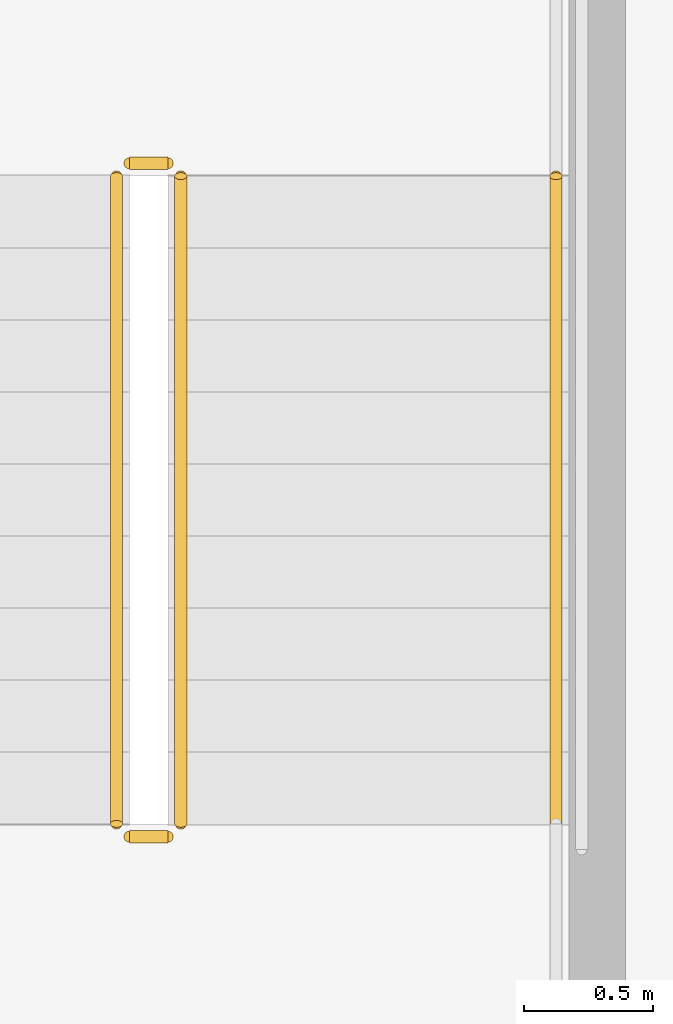
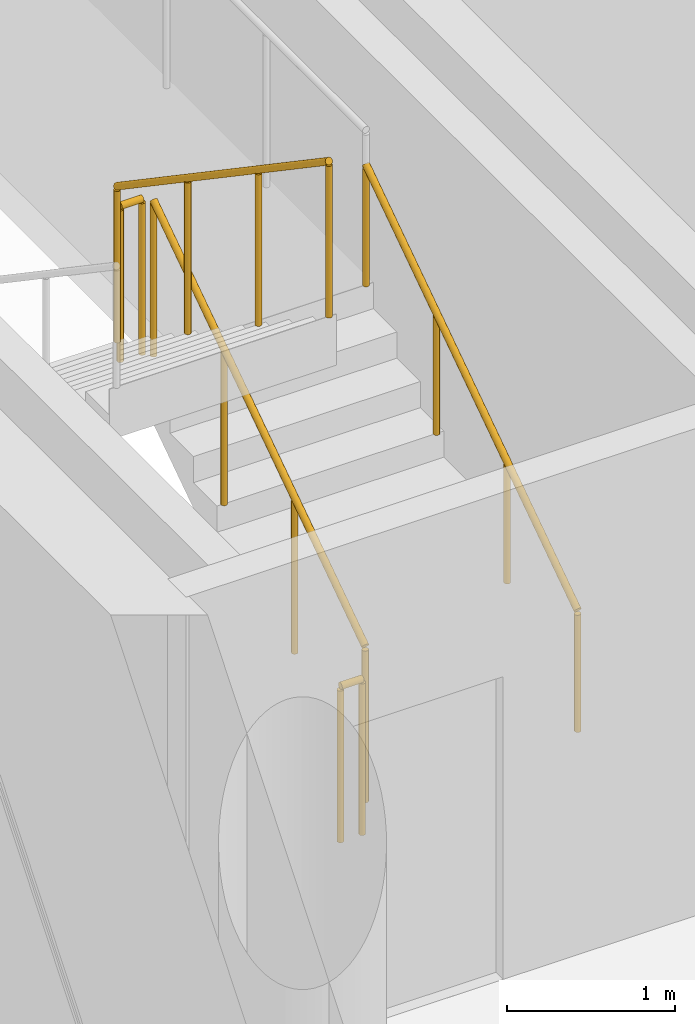
# One storey, part 15 of 17: 5 railings.
"""IFC4 building model written with IfcOpenShell, lengths in metres."""

import ifcopenshell
import ifcopenshell.guid

model = None  # the IFC model being written
_history = None  # IfcOwnerHistory: only IFC2X3 demands one
_inside = {}  # id of a spatial element -> (the spatial element, [elements in it])
_under = {}  # id of a project, library or spatial element -> (it, [spatial elements below it])
_declared = {}  # id of a project -> (the project, [libraries it declares])
_typed = {}  # id of a type object -> (the type object, [elements of that type])
_made_of = {}  # id of a material, layer set ... -> (it, [elements and type objects made of it])


def new_model(schema):
    """Start an empty IFC model of exactly this schema.

    Asked for "IFC4X3", IfcOpenShell would pick the latest addendum, in which some entities
    have other attributes; the version numbers below select the first issue.
    IFC2X3 requires an IfcOwnerHistory on every rooted entity: one is made here for all.
    """
    global model, _history
    if schema == "IFC4X3":
        model = ifcopenshell.file(schema_version=(4, 3, 0, 0))
    else:
        model = ifcopenshell.file(schema=schema)
    _inside.clear()
    _under.clear()
    _declared.clear()
    _typed.clear()
    _made_of.clear()
    _history = None
    if model.schema == "IFC2X3":
        org = make("IfcOrganization", Name="unknown")
        user = make(
            "IfcPersonAndOrganization",
            ThePerson=make("IfcPerson", FamilyName="unknown"),
            TheOrganization=org,
        )
        app = make(
            "IfcApplication",
            ApplicationDeveloper=org,
            Version="unknown",
            ApplicationFullName="unknown",
            ApplicationIdentifier="unknown",
        )
        _history = make(
            "IfcOwnerHistory",
            OwningUser=user,
            OwningApplication=app,
            ChangeAction="ADDED",
            CreationDate=0,
        )
    return model


def make(cls, **values):
    """One entity of the class cls with the attributes given. An attribute that is None is left unset."""
    return model.create_entity(
        cls, **{name: value for name, value in values.items() if value is not None}
    )


def rooted(cls, **values):
    """An entity with a GlobalId (a new one), such as an element, a storey or a relation."""
    return make(cls, GlobalId=ifcopenshell.guid.new(), OwnerHistory=_history, **values)


def si_unit(unit_type, name, prefix=None):
    """IfcSIUnit, for example si_unit("LENGTHUNIT", "METRE", prefix="MILLI")."""
    return make("IfcSIUnit", UnitType=unit_type, Prefix=prefix, Name=name)


def assignment(units):
    """IfcUnitAssignment: the units of a project."""
    return None if units is None else make("IfcUnitAssignment", Units=units)


def point(xyz):
    """IfcCartesianPoint."""
    return None if xyz is None else make("IfcCartesianPoint", Coordinates=xyz)


def direction(xyz):
    """IfcDirection."""
    return None if xyz is None else make("IfcDirection", DirectionRatios=xyz)


def frame(location, z_axis=None, x_axis=None):
    """IfcAxis2Placement3D, a coordinate frame: its origin and axes. An axis left out is left unset."""
    return make(
        "IfcAxis2Placement3D",
        Location=point(location),
        Axis=direction(z_axis),
        RefDirection=direction(x_axis),
    )


def frame_2d(location, x_axis=None):
    """IfcAxis2Placement2D, a coordinate frame in the plane: its origin and x axis."""
    return make(
        "IfcAxis2Placement2D", Location=point(location), RefDirection=direction(x_axis)
    )


def origin():
    """The frame at (0, 0, 0) with its axes left unset."""
    return frame((0.0, 0.0, 0.0))


def origin_2d():
    """The frame at (0, 0) in the plane with its x axis left unset."""
    return frame_2d((0.0, 0.0))


def place(relative_to, where):
    """IfcLocalPlacement: puts the frame where relative to a parent placement (None: the world)."""
    return make(
        "IfcLocalPlacement", PlacementRelTo=relative_to, RelativePlacement=where
    )


def context(
    kind, dimensions, precision=None, world=None, true_north=None, identifier=None
):
    """IfcGeometricRepresentationContext, for example the 3D "Model" context."""
    return make(
        "IfcGeometricRepresentationContext",
        ContextIdentifier=identifier,
        ContextType=kind,
        CoordinateSpaceDimension=dimensions,
        Precision=precision,
        WorldCoordinateSystem=world,
        TrueNorth=true_north,
    )


def subcontext(parent, identifier, kind, view, scale=None):
    """IfcGeometricRepresentationSubContext, for example "Body" below "Model"."""
    return make(
        "IfcGeometricRepresentationSubContext",
        ContextIdentifier=identifier,
        ContextType=kind,
        ParentContext=parent,
        TargetScale=scale,
        TargetView=view,
    )


def project(units=None, contexts=None):
    """IfcProject with its units and contexts."""
    return rooted(
        "IfcProject",
        Name="project",
        RepresentationContexts=contexts,
        UnitsInContext=assignment(units),
    )


def spatial(cls, under=None, at=None, **own):
    """A site, building, storey or space (cls), placed at a placement, below another one or the project."""
    s = rooted(cls, ObjectPlacement=at, **own)
    if under is not None:
        _under.setdefault(under.id(), (under, []))[1].append(s)
    return s


def profile(cls, at=None, kind="AREA", **sizes):
    """A parametric profile (cls). Its sizes go by their IFC names, for example OverallWidth=200.0."""
    return make(cls, ProfileType=kind, Position=at, **sizes)


def circle(**sizes):
    """IfcCircleProfileDef."""
    return profile("IfcCircleProfileDef", **sizes)


def extrude(swept, where, along, depth):
    """IfcExtrudedAreaSolid: the profile swept, set in the frame where, extruded along a direction by depth."""
    return make(
        "IfcExtrudedAreaSolid",
        SweptArea=swept,
        Position=where,
        ExtrudedDirection=direction(along),
        Depth=depth,
    )


def shape(context_of_items, identifier, shape_type, items):
    """IfcShapeRepresentation: the items that make up one representation, for example the "Body"."""
    return make(
        "IfcShapeRepresentation",
        ContextOfItems=context_of_items,
        RepresentationIdentifier=identifier,
        RepresentationType=shape_type,
        Items=items,
    )


def material(Name=None, Category=None):
    """IfcMaterial."""
    return make("IfcMaterial", Name=Name, Category=Category)


def made_of(thing, what):
    """Note that an element or type object is made of a material, layer set ...; save() writes the relation."""
    if what is not None:
        _made_of.setdefault(what.id(), (what, []))[1].append(thing)
    return thing


def type_object(cls, material=None, **own):
    """A type object (cls), such as IfcWallType, which elements share."""
    return made_of(rooted(cls, **own), material)


def element(
    cls,
    number,
    at=None,
    inside=None,
    cuts=None,
    type_object=None,
    material=None,
    context=None,
    identifier="Body",
    shape_type=None,
    held_by="IfcProductDefinitionShape",
    body=None,
    shapes=None,
    **own,
):
    """One element of the class cls, such as IfcWall. Its Tag is "e" and its number.

    at: its placement. inside: the storey or other place that contains it. cuts: it is an
    opening in that element (IfcRelVoidsElement). A single representation is given by context,
    identifier, shape_type and body (its items); several are given by shapes. held_by: the class
    of the entity that holds the representations. save() writes the other relations.
    """
    e = rooted(cls, Tag="e%d" % number, ObjectPlacement=at, **own)
    if body is not None:
        shapes = [shape(context, identifier, shape_type, body)]
    if shapes is not None:
        e.Representation = make(held_by, Representations=shapes)
    if inside is not None:
        _inside.setdefault(inside.id(), (inside, []))[1].append(e)
    if cuts is not None:
        rooted(
            "IfcRelVoidsElement", RelatingBuildingElement=cuts, RelatedOpeningElement=e
        )
    if type_object is not None:
        _typed.setdefault(type_object.id(), (type_object, []))[1].append(e)
    return made_of(e, material)


def aggregate(whole, parts):
    """IfcRelAggregates: a whole, such as a stair, and the parts it consists of."""
    return rooted("IfcRelAggregates", RelatingObject=whole, RelatedObjects=parts)


def save(model, path):
    """Write the relations noted so far, then the file.

    IfcRelAggregates (storeys below a building ...), IfcRelContainedInSpatialStructure (elements
    in a storey), IfcRelDefinesByType, IfcRelAssociatesMaterial and IfcRelDeclares: one each for
    every whole, place, type object, material and project.
    """
    for whole, parts in _under.values():
        aggregate(whole, parts)
    for where, things in _inside.values():
        rooted(
            "IfcRelContainedInSpatialStructure",
            RelatedElements=things,
            RelatingStructure=where,
        )
    for kind, things in _typed.values():
        rooted("IfcRelDefinesByType", RelatedObjects=things, RelatingType=kind)
    for what, things in _made_of.values():
        rooted("IfcRelAssociatesMaterial", RelatedObjects=things, RelatingMaterial=what)
    for by, libraries in _declared.values():
        rooted("IfcRelDeclares", RelatingContext=by, RelatedDefinitions=libraries)
    model.write(path)


model = new_model("IFC4")

# Units and contexts
model_context = context("Model", 3, precision=1e-05, world=origin(), true_north=direction((0.0, 1.0)))
body_context = subcontext(model_context, "Body", "Model", "MODEL_VIEW")
ifc_project = project(units=[si_unit("LENGTHUNIT", "METRE"), si_unit("AREAUNIT", "SQUARE_METRE"), si_unit("VOLUMEUNIT", "CUBIC_METRE"), si_unit("PLANEANGLEUNIT", "RADIAN"), si_unit("MASSUNIT", "GRAM", prefix="KILO")], contexts=[model_context])

# Site, building, storey
site_placement = place(None, origin())
site = spatial("IfcSite", under=ifc_project, at=site_placement, CompositionType="ELEMENT")
building_placement = place(site_placement, origin())
building = spatial("IfcBuilding", under=site, at=building_placement, Name="Khairoan Windgate Tower", CompositionType="ELEMENT")
storey_placement = place(building_placement, frame((0.0, 0.0, 304.199951171875)))
storey = spatial("IfcBuildingStorey", under=building, at=storey_placement, Name="L73", CompositionType="ELEMENT", Elevation=304.199951171875)

# Railings
ifc_material_1 = material(Name="Anodised Bronze Aluminium 6063-T6", Category="aluminium")
railing_type_1 = type_object("IfcRailingType", Name="Stair Wall Handrail SHR-900", PredefinedType="HANDRAIL", material=ifc_material_1)
railing_1_placement = place(storey_placement, frame((-16.199951171875, 2.9599609375, 0.18994140625)))
element("IfcRailing", 1, at=railing_1_placement, inside=storey, type_object=railing_type_1, Name="L73 ST2 stair handrail 1", PredefinedType="HANDRAIL", context=body_context, shape_type="SweptSolid", body=[
    extrude(circle(Radius=0.02392578125, at=origin_2d()), frame((0.0, 0.0, 0.8759765625), z_axis=(0.0, 0.82744650838, 0.561544544778), x_axis=(-1.0, 0.0, 0.0)), (0.0, 0.0, 1.0), 3.045654296875),
    extrude(circle(Radius=0.02099609375, at=origin_2d()), origin(), (0.0, 0.0, 1.0), 0.851806640625),
    extrude(circle(Radius=0.02099609375, at=origin_2d()), frame((0.0, 0.840087890625, 0.570068359375)), (0.0, 0.0, 1.0), 0.851806640625),
    extrude(circle(Radius=0.02099609375, at=origin_2d()), frame((0.0, 1.679931640625, 1.14013671875)), (0.0, 0.0, 1.0), 0.851806640625),
    extrude(circle(Radius=0.02099609375, at=origin_2d()), frame((0.0, 2.52001953125, 1.710205078125)), (0.0, 0.0, 1.0), 0.851806640625),
])
ifc_material_2 = material(Name="Steel S355", Category="steel")
railing_type_2 = type_object("IfcRailingType", Name="Stairwell Safety Guardrail SGR-1150", PredefinedType="GUARDRAIL", material=ifc_material_2)
railing_2_placement = place(storey_placement, frame((-17.659912109375, 2.9599609375, 0.18994140625)))
element("IfcRailing", 2, at=railing_2_placement, inside=storey, type_object=railing_type_2, Name="L73 ST2 stair guard 1", PredefinedType="GUARDRAIL", context=body_context, shape_type="SweptSolid", body=[
    extrude(circle(Radius=0.02392578125, at=origin_2d()), frame((0.0, 0.0, 1.1259765625), z_axis=(0.0, 0.82744650838, 0.561544544778), x_axis=(-1.0, 0.0, 0.0)), (0.0, 0.0, 1.0), 3.045654296875),
    extrude(circle(Radius=0.02099609375, at=origin_2d()), origin(), (0.0, 0.0, 1.0), 1.101806640625),
    extrude(circle(Radius=0.02099609375, at=origin_2d()), frame((0.0, 0.840087890625, 0.570068359375)), (0.0, 0.0, 1.0), 1.101806640625),
    extrude(circle(Radius=0.02099609375, at=origin_2d()), frame((0.0, 1.679931640625, 1.14013671875)), (0.0, 0.0, 1.0), 1.101806640625),
    extrude(circle(Radius=0.02099609375, at=origin_2d()), frame((0.0, 2.52001953125, 1.710205078125)), (0.0, 0.0, 1.0), 1.101806640625),
])
railing_3_placement = place(storey_placement, frame((-17.7099609375, 5.530029296875, 1.900146484375)))
element("IfcRailing", 3, at=railing_3_placement, inside=storey, type_object=railing_type_2, Name="L73 ST2 stair guard 2", PredefinedType="GUARDRAIL", context=body_context, shape_type="SweptSolid", body=[
    extrude(circle(Radius=0.02392578125, at=origin_2d()), frame((0.0, 0.0, 1.1259765625), z_axis=(-1.0, 0.0, 0.0), x_axis=(0.0, -1.0, 0.0)), (0.0, 0.0, 1.0), 0.150146484375),
    extrude(circle(Radius=0.02099609375, at=origin_2d()), origin(), (0.0, 0.0, 1.0), 1.101806640625),
    extrude(circle(Radius=0.02099609375, at=origin_2d()), frame((-0.150146484375, 0.0, 0.0)), (0.0, 0.0, 1.0), 1.101806640625),
])
railing_4_placement = place(storey_placement, frame((-17.909912109375, 5.47998046875, 2.090087890625)))
element("IfcRailing", 4, at=railing_4_placement, inside=storey, type_object=railing_type_2, Name="L73 ST2 stair guard 6", PredefinedType="GUARDRAIL", context=body_context, shape_type="SweptSolid", body=[
    extrude(circle(Radius=0.02392578125, at=origin_2d()), frame((0.0, 0.0, 1.1259765625), z_axis=(0.0, -0.827483756001, 0.561489655786), x_axis=(1.0, 0.0, 0.0)), (0.0, 0.0, 1.0), 3.04541015625),
    extrude(circle(Radius=0.02099609375, at=origin_2d()), origin(), (0.0, 0.0, 1.0), 1.101806640625),
    extrude(circle(Radius=0.02099609375, at=origin_2d()), frame((0.0, -0.840087890625, 0.570068359375)), (0.0, 0.0, 1.0), 1.101806640625),
    extrude(circle(Radius=0.02099609375, at=origin_2d()), frame((0.0, -1.679931640625, 1.139892578125)), (0.0, 0.0, 1.0), 1.101806640625),
    extrude(circle(Radius=0.02099609375, at=origin_2d()), frame((0.0, -2.52001953125, 1.7099609375)), (0.0, 0.0, 1.0), 1.101806640625),
])
railing_5_placement = place(storey_placement, frame((-17.7099609375, 2.909912109375, 0.0)))
element("IfcRailing", 5, at=railing_5_placement, inside=storey, type_object=railing_type_2, Name="L73 ST2 stair guard 7", PredefinedType="GUARDRAIL", context=body_context, shape_type="SweptSolid", body=[
    extrude(circle(Radius=0.02392578125, at=origin_2d()), frame((0.0, 0.0, 1.1259765625), z_axis=(-1.0, 0.0, 0.0), x_axis=(0.0, -1.0, 0.0)), (0.0, 0.0, 1.0), 0.150146484375),
    extrude(circle(Radius=0.02099609375, at=origin_2d()), origin(), (0.0, 0.0, 1.0), 1.101806640625),
    extrude(circle(Radius=0.02099609375, at=origin_2d()), frame((-0.150146484375, 0.0, 0.0)), (0.0, 0.0, 1.0), 1.101806640625),
])

save(model, "model.ifc")
